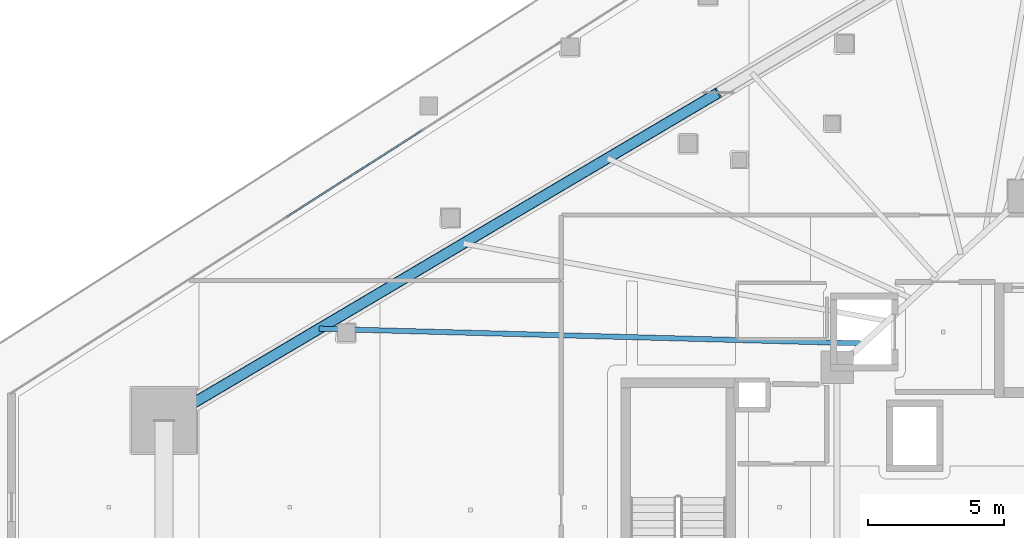
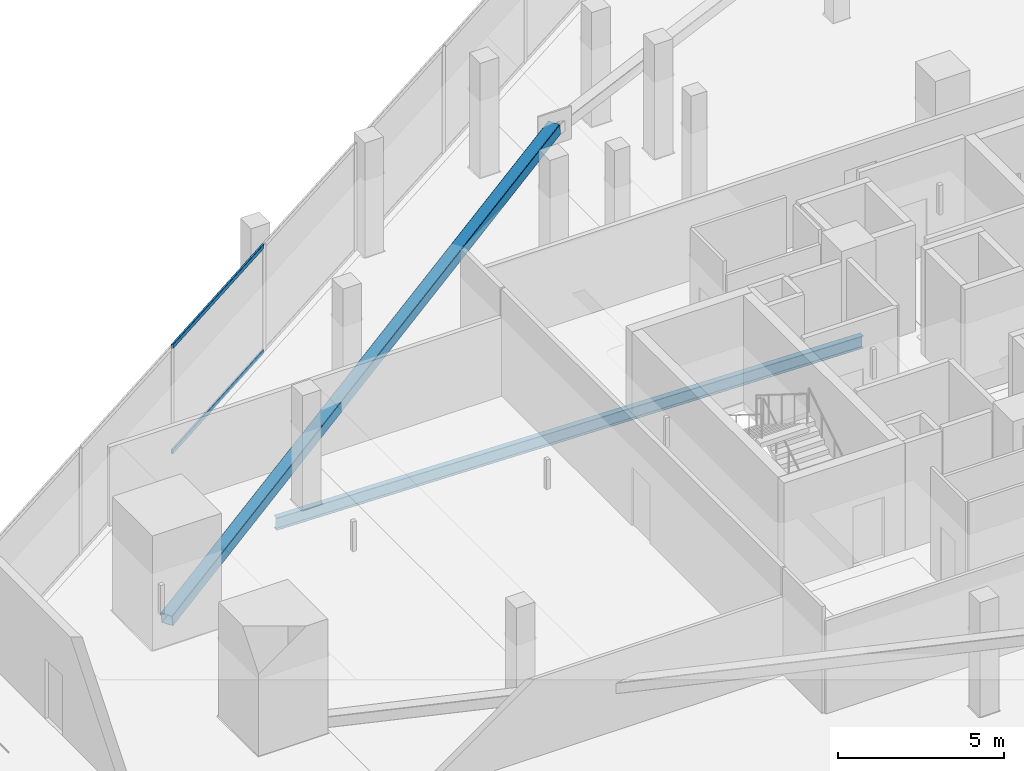
# One storey, part 13 of 43: 3 members, 1 beam, 1 element without a shape of its own.
"""IFC4 building model written with IfcOpenShell, lengths in metres."""

from ifc_helpers import new_model, si_unit, direction, frame, origin, origin_2d, place, context, subcontext, project, spatial, hollow_rectangle, i_section, extrude, material, layer, layer_set, material_profile, profile_set, type_object, element, aggregate, save


model = new_model("IFC4")

# Units and contexts
model_context = context("Model", 3, precision=1e-05, world=origin(), true_north=direction((0.0, 1.0)))
body_context = subcontext(model_context, "Body", "Model", "MODEL_VIEW")
ifc_project = project(units=[si_unit("LENGTHUNIT", "METRE"), si_unit("AREAUNIT", "SQUARE_METRE"), si_unit("VOLUMEUNIT", "CUBIC_METRE"), si_unit("PLANEANGLEUNIT", "RADIAN"), si_unit("MASSUNIT", "GRAM", prefix="KILO")], contexts=[model_context])

# Site, building, storey
site_placement = place(None, origin())
site = spatial("IfcSite", under=ifc_project, at=site_placement, CompositionType="ELEMENT")
building_placement = place(site_placement, origin())
building = spatial("IfcBuilding", under=site, at=building_placement, Name="Qorvath Tower", CompositionType="ELEMENT")
storey_placement = place(building_placement, frame((0.0, 0.0, 36.60009765625)))
storey = spatial("IfcBuildingStorey", under=building, at=storey_placement, Name="L07", CompositionType="ELEMENT", Elevation=36.60009765625)

# Beam
ifc_material_1 = material(Name="Steel ASTM A992 Grade 50", Category="steel")
ifc_material_profile_1 = material_profile(ifc_material_1, i_section(OverallWidth=0.18994140625, OverallDepth=0.45703125, WebThickness=0.009033203125, FlangeThickness=0.014404296875, FilletRadius=0.011962890625, at=origin_2d()), Name="W18x50")
ifc_profile_set_1 = profile_set([ifc_material_profile_1], Name="Steel ASTM A992 Grade 50")
beam_type = type_object("IfcBeamType", Name="BM-FJ2", PredefinedType="JOIST", material=ifc_profile_set_1)
beam_placement = place(storey_placement, frame((-29.533935546875, 6.031982421875, -0.508544921875), z_axis=(-0.999634925413, 0.02701880631, 0.0), x_axis=(-0.02701880631, -0.999634925413, 0.0)))
element("IfcBeam", 1, at=beam_placement, inside=storey, type_object=beam_type, Name="Composite Floor Joist NW1 L07", PredefinedType="JOIST", context=body_context, shape_type="SweptSolid", body=[
    extrude(i_section(OverallWidth=0.18994140625, OverallDepth=0.45703125, WebThickness=0.009033203125, FlangeThickness=0.014404296875, FilletRadius=0.011962890625, at=origin_2d()), origin(), (0.0, 0.0, 1.0), 20.041748046875),
])

# Curtain wall, members
ifc_material_2 = material(Name="Anodised aluminium and triple low-E glass", Category="aluminium")
ifc_layer = layer(ifc_material_2, 0.179931640625)
ifc_layer_set = layer_set([ifc_layer], Name="CW-SYS-2")
curtain_wall_type = type_object("IfcCurtainWallType", Name="CW-SYS-2", PredefinedType="NOTDEFINED", material=ifc_layer_set)
curtain_wall_placement = place(storey_placement, origin())
curtain_wall = element("IfcCurtainWall", 2, at=curtain_wall_placement, inside=storey, type_object=curtain_wall_type, Name="Curtain Wall CW-2 CW-T-L07-16.3", PredefinedType="NOTDEFINED")
ifc_material_3 = material(Name="Anodised aluminium 6063-T6", Category="aluminium")
ifc_material_profile_2 = material_profile(ifc_material_3, hollow_rectangle(XDim=0.06494140625, YDim=0.159912109375, WallThickness=0.00341796875, InnerFilletRadius=0.00341796875, OuterFilletRadius=0.007080078125, at=origin_2d()), Name="CWT 160x65")
ifc_profile_set_2 = profile_set([ifc_material_profile_2], Name="Anodised aluminium 6063-T6")
member_type_1 = type_object("IfcMemberType", Name="CWT-160", PredefinedType="USERDEFINED", material=ifc_profile_set_2)
member_1_placement = place(storey_placement, frame((-45.77978515625, 13.87744140625, 0.032470703125), z_axis=(-0.842615282309, -0.538516003494, 0.0), x_axis=(0.538516003494, -0.842615282309, 0.0)))
member_1 = element("IfcMember", 3, at=member_1_placement, type_object=member_type_1, Name="CW-2 transom 2.1", ObjectType="TRANSOM", PredefinedType="USERDEFINED", context=body_context, shape_type="SweptSolid", body=[
    extrude(hollow_rectangle(XDim=0.06494140625, YDim=0.159912109375, WallThickness=0.00341796875, InnerFilletRadius=0.00341796875, OuterFilletRadius=0.007080078125, at=origin_2d()), origin(), (0.0, 0.0, 1.0), 5.92822265625),
])
member_2_placement = place(storey_placement, frame((-45.77978515625, 13.87744140625, 3.887451171875), z_axis=(-0.842615282309, -0.538516003494, 0.0), x_axis=(0.538516003494, -0.842615282309, 0.0)))
member_2 = element("IfcMember", 4, at=member_2_placement, type_object=member_type_1, Name="CW-2 transom 2.2", ObjectType="TRANSOM", PredefinedType="USERDEFINED", context=body_context, shape_type="SweptSolid", body=[
    extrude(hollow_rectangle(XDim=0.06494140625, YDim=0.159912109375, WallThickness=0.00341796875, InnerFilletRadius=0.00341796875, OuterFilletRadius=0.007080078125, at=origin_2d()), origin(), (0.0, 0.0, 1.0), 5.92822265625),
])
aggregate(curtain_wall, [member_1, member_2])

# Member
ifc_material_4 = material(Name="Steel ASTM A500 Grade C", Category="steel")
ifc_material_profile_3 = material_profile(ifc_material_4, hollow_rectangle(XDim=0.406494140625, YDim=0.406494140625, WallThickness=0.015869140625, InnerFilletRadius=0.015869140625, OuterFilletRadius=0.03173828125, at=origin_2d()), Name="HSS 406x406x16")
ifc_profile_set_3 = profile_set([ifc_material_profile_3], Name="Steel ASTM A500 Grade C")
member_type_2 = type_object("IfcMemberType", Name="MEM-MB1", PredefinedType="BRACE", material=ifc_profile_set_3)
member_3_placement = place(storey_placement, frame((-55.282958984375, 3.194580078125, 0.0), z_axis=(0.851182571361, 0.503311231218, 0.148882620681), x_axis=(-0.50898392026, 0.86077602715, 0.0)))
element("IfcMember", 5, at=member_3_placement, inside=storey, type_object=member_type_2, Name="Perimeter Chevron Brace L07-1B", PredefinedType="BRACE", context=body_context, shape_type="SweptSolid", body=[
    extrude(hollow_rectangle(XDim=0.406494140625, YDim=0.406494140625, WallThickness=0.015869140625, InnerFilletRadius=0.015869140625, OuterFilletRadius=0.03173828125, at=origin_2d()), origin(), (0.0, 0.0, 1.0), 23.9775390625),
])

save(model, "model.ifc")
